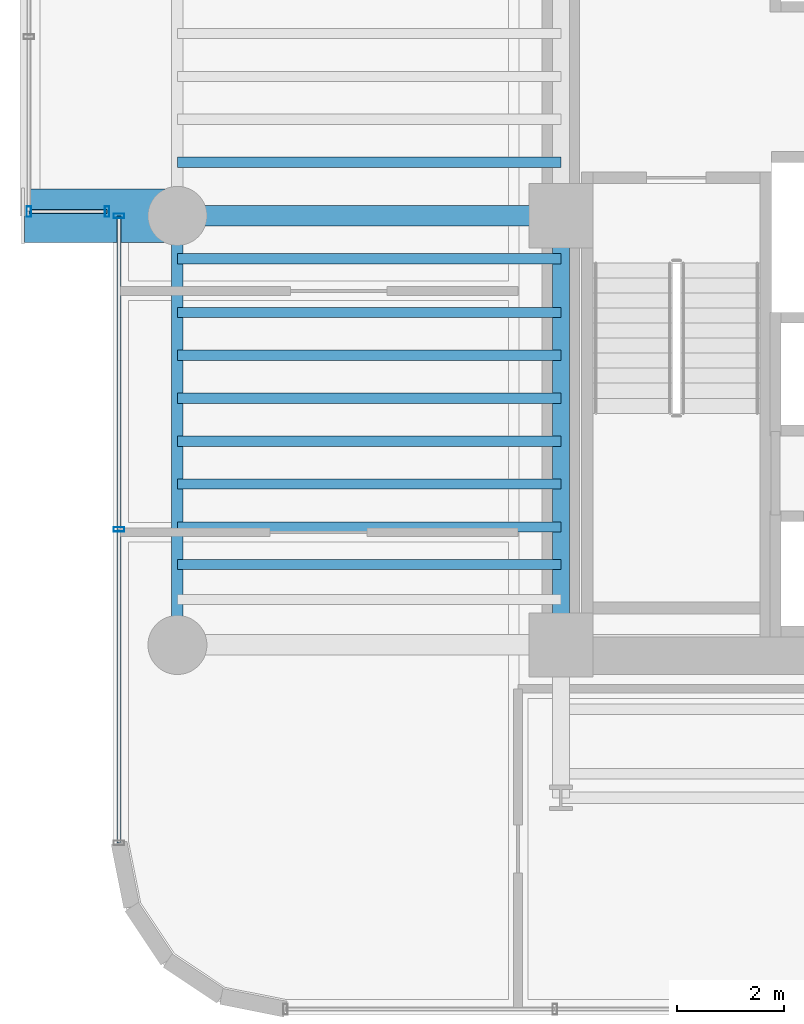
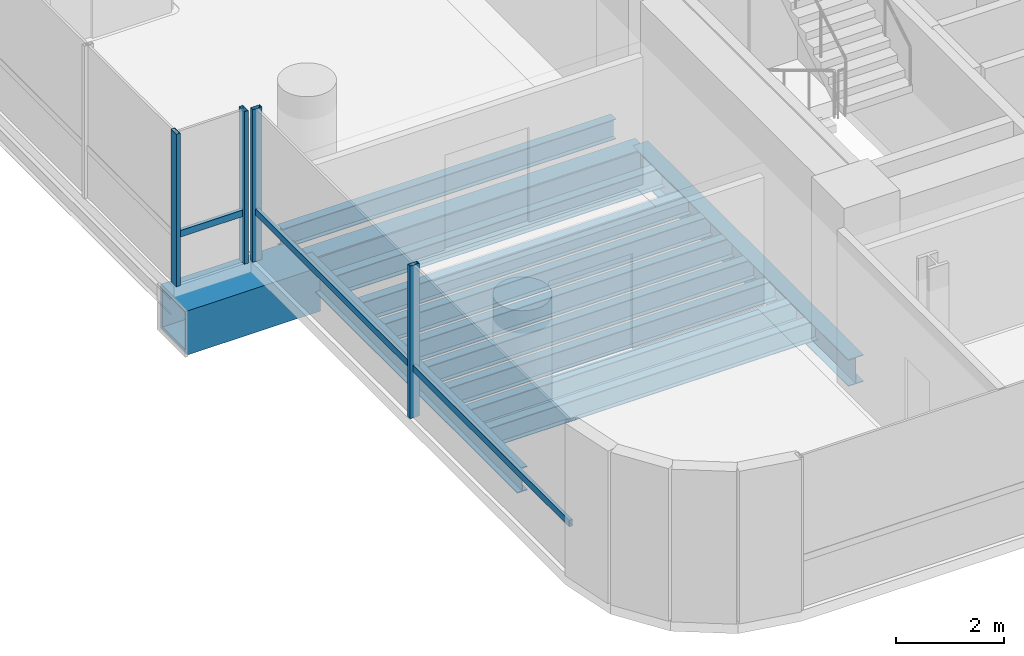
# One storey, part 4 of 34: 13 beams, 6 members, 2 elements without a shape of their own.
"""IFC4 building model written with IfcOpenShell, lengths in metres."""

from ifc_helpers import new_model, si_unit, direction, frame, origin, origin_2d, place, context, subcontext, project, spatial, hollow_rectangle, i_section, extrude, source, transform, mapped, material, material_profile, profile_set, type_object, element, aggregate, save


model = new_model("IFC4")

# Units and contexts
model_context = context("Model", 3, precision=1e-05, world=origin(), true_north=direction((0.0, 1.0)))
body_context = subcontext(model_context, "Body", "Model", "MODEL_VIEW")
ifc_project = project(units=[si_unit("LENGTHUNIT", "METRE"), si_unit("AREAUNIT", "SQUARE_METRE"), si_unit("VOLUMEUNIT", "CUBIC_METRE"), si_unit("PLANEANGLEUNIT", "RADIAN"), si_unit("MASSUNIT", "GRAM", prefix="KILO")], contexts=[model_context])

# Site, building, storey
site_placement = place(None, origin())
site = spatial("IfcSite", under=ifc_project, at=site_placement, CompositionType="ELEMENT")
building_placement = place(site_placement, origin())
building = spatial("IfcBuilding", under=site, at=building_placement, Name="Valdorenza Pilgrim Sanctuary Tower", CompositionType="ELEMENT")
storey_placement = place(building_placement, frame((0.0, 0.0, 142.699951171875)))
storey = spatial("IfcBuildingStorey", under=building, at=storey_placement, Name="L36", CompositionType="ELEMENT", Elevation=142.699951171875)

# Beams
ifc_material_1 = material(Name="Steel ASTM A992 Grade 50", Category="steel")
ifc_material_profile_1 = material_profile(ifc_material_1, i_section(OverallWidth=0.214111328125, OverallDepth=0.549072265625, WebThickness=0.0146484375, FlangeThickness=0.023681640625, at=origin_2d()), Name="W21X93")
ifc_profile_set_1 = profile_set([ifc_material_profile_1], Name="Steel ASTM A992 Grade 50")
beam_type_1 = type_object("IfcBeamType", Name="STR-BM-SPN-W21A", PredefinedType="SPANDREL", material=ifc_profile_set_1)
shared_shape_1 = source(origin(), body_context, "Body", "SweptSolid", [
    extrude(i_section(OverallWidth=0.214111328125, OverallDepth=0.549072265625, WebThickness=0.0146484375, FlangeThickness=0.023681640625, at=origin_2d()), origin(), (0.0, 0.0, 1.0), 8.0),
])
beam_1_placement = place(storey_placement, frame((-29.800048828125, -10.60009765625, -0.514404296875), z_axis=(0.0, 1.0, 0.0), x_axis=(-1.0, 0.0, 0.0)))
element("IfcBeam", 1, at=beam_1_placement, inside=storey, type_object=beam_type_1, Name="L36 Spandrel Beam WA-W-S1M0", PredefinedType="SPANDREL", context=body_context, shape_type="MappedRepresentation", body=[
    mapped(shared_shape_1, transform((0.0, 0.0, 0.0), x_axis=(1.0, 0.0, 0.0), y_axis=(0.0, 1.0, 0.0), z_axis=(0.0, 0.0, 1.0), scale=1.0)),
])
ifc_material_profile_2 = material_profile(ifc_material_1, i_section(OverallWidth=0.323974609375, OverallDepth=0.611083984375, WebThickness=0.0126953125, FlangeThickness=0.01904296875, at=origin_2d()), Name="W24X104")
ifc_profile_set_2 = profile_set([ifc_material_profile_2], Name="Steel ASTM A992 Grade 50")
beam_type_2 = type_object("IfcBeamType", Name="STR-BM-GRD-W24B", PredefinedType="BEAM", material=ifc_profile_set_2)
shared_shape_2 = source(origin(), body_context, "Body", "SweptSolid", [
    extrude(i_section(OverallWidth=0.323974609375, OverallDepth=0.611083984375, WebThickness=0.0126953125, FlangeThickness=0.01904296875, at=origin_2d()), origin(), (0.0, 0.0, 1.0), 8.0),
])
beam_2_placement = place(storey_placement, frame((-22.64990234375, -10.60009765625, -0.54541015625), z_axis=(0.0, 1.0, 0.0), x_axis=(-1.0, 0.0, 0.0)))
element("IfcBeam", 2, at=beam_2_placement, inside=storey, type_object=beam_type_2, Name="L36 Core Tie Girder CA-W-S1M0", PredefinedType="BEAM", context=body_context, shape_type="MappedRepresentation", body=[
    mapped(shared_shape_2, transform((0.0, 0.0, 0.0), x_axis=(1.0, 0.0, 0.0), y_axis=(0.0, 1.0, 0.0), z_axis=(0.0, 0.0, 1.0), scale=1.0)),
])
ifc_material_profile_3 = material_profile(ifc_material_1, i_section(OverallWidth=0.382080078125, OverallDepth=0.779052734375, WebThickness=0.01806640625, FlangeThickness=0.030029296875, at=origin_2d()), Name="W30X191")
ifc_profile_set_3 = profile_set([ifc_material_profile_3], Name="Steel ASTM A992 Grade 50")
beam_type_3 = type_object("IfcBeamType", Name="STR-BM-GRD-W30", PredefinedType="BEAM", material=ifc_profile_set_3)
shared_shape_3 = source(origin(), body_context, "Body", "SweptSolid", [
    extrude(i_section(OverallWidth=0.382080078125, OverallDepth=0.779052734375, WebThickness=0.01806640625, FlangeThickness=0.030029296875, at=origin_2d()), origin(), (0.0, 0.0, 1.0), 7.150146484375),
])
beam_3_placement = place(storey_placement, frame((-29.800048828125, -2.60009765625, -0.62939453125), z_axis=(1.0, 0.0, 0.0), x_axis=(0.0, 1.0, 0.0)))
element("IfcBeam", 3, at=beam_3_placement, inside=storey, type_object=beam_type_3, Name="L36 Floor Girder WA-XW-M0", PredefinedType="BEAM", context=body_context, shape_type="MappedRepresentation", body=[
    mapped(shared_shape_3, transform((0.0, 0.0, 0.0), x_axis=(1.0, 0.0, 0.0), y_axis=(0.0, 1.0, 0.0), z_axis=(0.0, 0.0, 1.0), scale=1.0)),
])
ifc_material_profile_4 = material_profile(ifc_material_1, i_section(OverallWidth=0.19091796875, OverallDepth=0.45703125, WebThickness=0.009033203125, FlangeThickness=0.014404296875, at=origin_2d()), Name="W18X50")
ifc_profile_set_4 = profile_set([ifc_material_profile_4], Name="Steel ASTM A992 Grade 50")
beam_type_4 = type_object("IfcBeamType", Name="STR-BM-JST-W18B", PredefinedType="JOIST", material=ifc_profile_set_4)
shared_shape_4 = source(origin(), body_context, "Body", "SweptSolid", [
    extrude(i_section(OverallWidth=0.19091796875, OverallDepth=0.45703125, WebThickness=0.009033203125, FlangeThickness=0.014404296875, at=origin_2d()), origin(), (0.0, 0.0, 1.0), 7.150146484375),
])
for number, where, z_axis, x_axis, name in (
    (4, (-29.800048828125, -9.10009765625, -0.468505859375), (1.0, 0.0, 0.0), (0.0, 1.0, 0.0), "L36 Composite Floor Joist JST-WA-2"),
    (5, (-29.800048828125, -8.39990234375, -0.468505859375), (1.0, 0.0, 0.0), (0.0, 1.0, 0.0), "L36 Composite Floor Joist JST-WA-3"),
    (6, (-29.800048828125, -7.60009765625, -0.468505859375), (1.0, 0.0, 0.0), (0.0, 1.0, 0.0), "L36 Composite Floor Joist JST-WA-4"),
    (7, (-29.800048828125, -6.800048828125, -0.468505859375), (1.0, 0.0, 0.0), (0.0, 1.0, 0.0), "L36 Composite Floor Joist JST-WA-5"),
    (8, (-29.800048828125, -6.0, -0.468505859375), (1.0, 0.0, 0.0), (0.0, 1.0, 0.0), "L36 Composite Floor Joist JST-WA-6"),
    (9, (-29.800048828125, -5.199951171875, -0.468505859375), (1.0, 0.0, 0.0), (0.0, 1.0, 0.0), "L36 Composite Floor Joist JST-WA-7"),
    (10, (-29.800048828125, -4.39990234375, -0.468505859375), (1.0, 0.0, 0.0), (0.0, 1.0, 0.0), "L36 Composite Floor Joist JST-WA-8"),
    (11, (-29.800048828125, -3.39990234375, -0.468505859375), (1.0, 0.0, 0.0), (0.0, 1.0, 0.0), "L36 Composite Floor Joist JST-WA-9"),
    (12, (-29.800048828125, -1.60009765625, -0.468505859375), (1.0, 0.0, 0.0), (0.0, 1.0, 0.0), "L36 Composite Floor Joist JST-WA-10"),
):
    element("IfcBeam", number, at=place(storey_placement, frame(where, z_axis=z_axis, x_axis=x_axis)), inside=storey, type_object=beam_type_4, Name=name, PredefinedType="JOIST", context=body_context, shape_type="MappedRepresentation", body=[
        mapped(shared_shape_4, transform((0.0, 0.0, 0.0), x_axis=(1.0, 0.0, 0.0), y_axis=(0.0, 1.0, 0.0), z_axis=(0.0, 0.0, 1.0), scale=1.0)),
    ])
ifc_material_2 = material(Name="Steel ASTM A572 Grade 42", Category="steel")
ifc_material_profile_5 = material_profile(ifc_material_2, hollow_rectangle(XDim=1.0, YDim=1.0, WallThickness=0.080078125, at=origin_2d()), Name="BOX 1000x1000x80")
ifc_profile_set_5 = profile_set([ifc_material_profile_5], Name="Steel ASTM A572 Grade 42")
beam_type_5 = type_object("IfcBeamType", Name="STR-BM-PROW-CANT", PredefinedType="BEAM", material=ifc_profile_set_5)
shared_shape_5 = source(origin(), body_context, "Body", "SweptSolid", [
    extrude(hollow_rectangle(XDim=1.0, YDim=1.0, WallThickness=0.080078125, at=origin_2d()), origin(), (0.0, 0.0, 1.0), 2.849853515625),
])
beam_4_placement = place(storey_placement, frame((-29.800048828125, -2.60009765625, -0.739990234375), z_axis=(-1.0, 0.0, 0.0), x_axis=(0.0, -1.0, 0.0)))
element("IfcBeam", 13, at=beam_4_placement, inside=storey, type_object=beam_type_5, Name="L36 Glass Box Cantilever Beam BOX-WA-L36-CT-S", PredefinedType="BEAM", context=body_context, shape_type="MappedRepresentation", body=[
    mapped(shared_shape_5, transform((0.0, 0.0, 0.0), x_axis=(1.0, 0.0, 0.0), y_axis=(0.0, 1.0, 0.0), z_axis=(0.0, 0.0, 1.0), scale=1.0)),
])

# Curtain wall, members
ifc_material_3 = material(Name="Curtain-wall IGU glazing", Category="glass")
curtain_wall_type = type_object("IfcCurtainWallType", Name="CW-SYS-02", PredefinedType="NOTDEFINED", material=ifc_material_3)
curtain_wall_1_placement = place(storey_placement, origin())
curtain_wall_1 = element("IfcCurtainWall", 14, at=curtain_wall_1_placement, inside=storey, type_object=curtain_wall_type, Name="L36 Curtain Wall CW-L36-1-1S1", PredefinedType="NOTDEFINED")
ifc_material_4 = material(Name="Anodised aluminium AW-6060", Category="aluminium")
ifc_material_profile_6 = material_profile(ifc_material_4, hollow_rectangle(XDim=0.0849609375, YDim=0.199951171875, WallThickness=0.0048828125, at=origin_2d()), Name="ALU-M 200x85x5")
ifc_profile_set_6 = profile_set([ifc_material_profile_6], Name="Anodised aluminium AW-6060")
member_type_1 = type_object("IfcMemberType", Name="CW-MUL-02", PredefinedType="MULLION", material=ifc_profile_set_6)
shared_shape_6 = source(origin(), body_context, "Body", "SweptSolid", [
    extrude(hollow_rectangle(XDim=0.0849609375, YDim=0.199951171875, WallThickness=0.0048828125, at=origin_2d()), origin(), (0.0, 0.0, 1.0), 3.4599609375),
])
member_1_placement = place(storey_placement, frame((-30.889892578125, -8.444580078125, 0.0), z_axis=(0.0, 0.0, 1.0), x_axis=(0.0, 1.0, 0.0)))
member_1 = element("IfcMember", 15, at=member_1_placement, type_object=member_type_1, Name="CW-L36-1-1S1 Mullion 2", PredefinedType="MULLION", context=body_context, shape_type="MappedRepresentation", body=[
    mapped(shared_shape_6, transform((0.0, 0.0, 0.0), x_axis=(1.0, 0.0, 0.0), y_axis=(0.0, 1.0, 0.0), z_axis=(0.0, 0.0, 1.0), scale=1.0)),
])
member_2_placement = place(storey_placement, frame((-30.889892578125, -2.60009765625, 0.0), z_axis=(0.0, 0.0, 1.0), x_axis=(0.0, 1.0, 0.0)))
member_2 = element("IfcMember", 16, at=member_2_placement, type_object=member_type_1, Name="CW-L36-1-1S1 Mullion 3", PredefinedType="MULLION", context=body_context, shape_type="MappedRepresentation", body=[
    mapped(shared_shape_6, transform((0.0, 0.0, 0.0), x_axis=(1.0, 0.0, 0.0), y_axis=(0.0, 1.0, 0.0), z_axis=(0.0, 0.0, 1.0), scale=1.0)),
])

curtain_wall_2_placement = place(storey_placement, origin())
curtain_wall_2 = element("IfcCurtainWall", 17, at=curtain_wall_2_placement, inside=storey, type_object=curtain_wall_type, Name="L36 Curtain Wall CW-L36-BOX-WA-L36-S", PredefinedType="NOTDEFINED")
member_3_placement = place(storey_placement, frame((-31.110107421875, -2.52001953125, 0.0), z_axis=(0.0, 0.0, 1.0), x_axis=(-1.0, 0.0, 0.0)))
member_3 = element("IfcMember", 18, at=member_3_placement, type_object=member_type_1, Name="CW-L36-BOX-WA-L36-S Mullion 1", PredefinedType="MULLION", context=body_context, shape_type="MappedRepresentation", body=[
    mapped(shared_shape_6, transform((0.0, 0.0, 0.0), x_axis=(1.0, 0.0, 0.0), y_axis=(0.0, 1.0, 0.0), z_axis=(0.0, 0.0, 1.0), scale=1.0)),
])
member_4_placement = place(storey_placement, frame((-32.570068359375, -2.52001953125, 0.0), z_axis=(0.0, 0.0, 1.0), x_axis=(-1.0, 0.0, 0.0)))
member_4 = element("IfcMember", 19, at=member_4_placement, type_object=member_type_1, Name="CW-L36-BOX-WA-L36-S Mullion 2", PredefinedType="MULLION", context=body_context, shape_type="MappedRepresentation", body=[
    mapped(shared_shape_6, transform((0.0, 0.0, 0.0), x_axis=(1.0, 0.0, 0.0), y_axis=(0.0, 1.0, 0.0), z_axis=(0.0, 0.0, 1.0), scale=1.0)),
])
ifc_material_profile_7 = material_profile(ifc_material_4, hollow_rectangle(XDim=0.074951171875, YDim=0.14990234375, WallThickness=0.00390625, at=origin_2d()), Name="ALU-T 150x75x4")
ifc_profile_set_7 = profile_set([ifc_material_profile_7], Name="Anodised aluminium AW-6060")
member_type_2 = type_object("IfcMemberType", Name="CW-TRN-02", PredefinedType="USERDEFINED", material=ifc_profile_set_7)
shared_shape_7 = source(origin(), body_context, "Body", "SweptSolid", [
    extrude(hollow_rectangle(XDim=0.074951171875, YDim=0.14990234375, WallThickness=0.00390625, at=origin_2d()), origin(), (0.0, 0.0, 1.0), 1.4599609375),
])
member_5_placement = place(storey_placement, frame((-31.110107421875, -2.52001953125, 1.1201171875), z_axis=(-1.0, 0.0, 0.0), x_axis=(0.0, -1.0, 0.0)))
member_5 = element("IfcMember", 20, at=member_5_placement, type_object=member_type_2, Name="CW-L36-BOX-WA-L36-S Transom 1", ObjectType="TRANSOM", PredefinedType="USERDEFINED", context=body_context, shape_type="MappedRepresentation", body=[
    mapped(shared_shape_7, transform((0.0, 0.0, 0.0), x_axis=(1.0, 0.0, 0.0), y_axis=(0.0, 1.0, 0.0), z_axis=(0.0, 0.0, 1.0), scale=1.0)),
])
aggregate(curtain_wall_2, [member_3, member_4, member_5])

# Member
shared_shape_8 = source(origin(), body_context, "Body", "SweptSolid", [
    extrude(hollow_rectangle(XDim=0.074951171875, YDim=0.14990234375, WallThickness=0.00390625, at=origin_2d()), origin(), (0.0, 0.0, 1.0), 11.689208984375),
])
member_6_placement = place(storey_placement, frame((-30.889892578125, -14.289306640625, 1.1201171875), z_axis=(0.0, 1.0, 0.0), x_axis=(-1.0, 0.0, 0.0)))
member_6 = element("IfcMember", 21, at=member_6_placement, type_object=member_type_2, Name="CW-L36-1-1S1 Transom 1", ObjectType="TRANSOM", PredefinedType="USERDEFINED", context=body_context, shape_type="MappedRepresentation", body=[
    mapped(shared_shape_8, transform((0.0, 0.0, 0.0), x_axis=(1.0, 0.0, 0.0), y_axis=(0.0, 1.0, 0.0), z_axis=(0.0, 0.0, 1.0), scale=1.0)),
])

aggregate(curtain_wall_1, [member_1, member_2, member_6])

save(model, "model.ifc")
